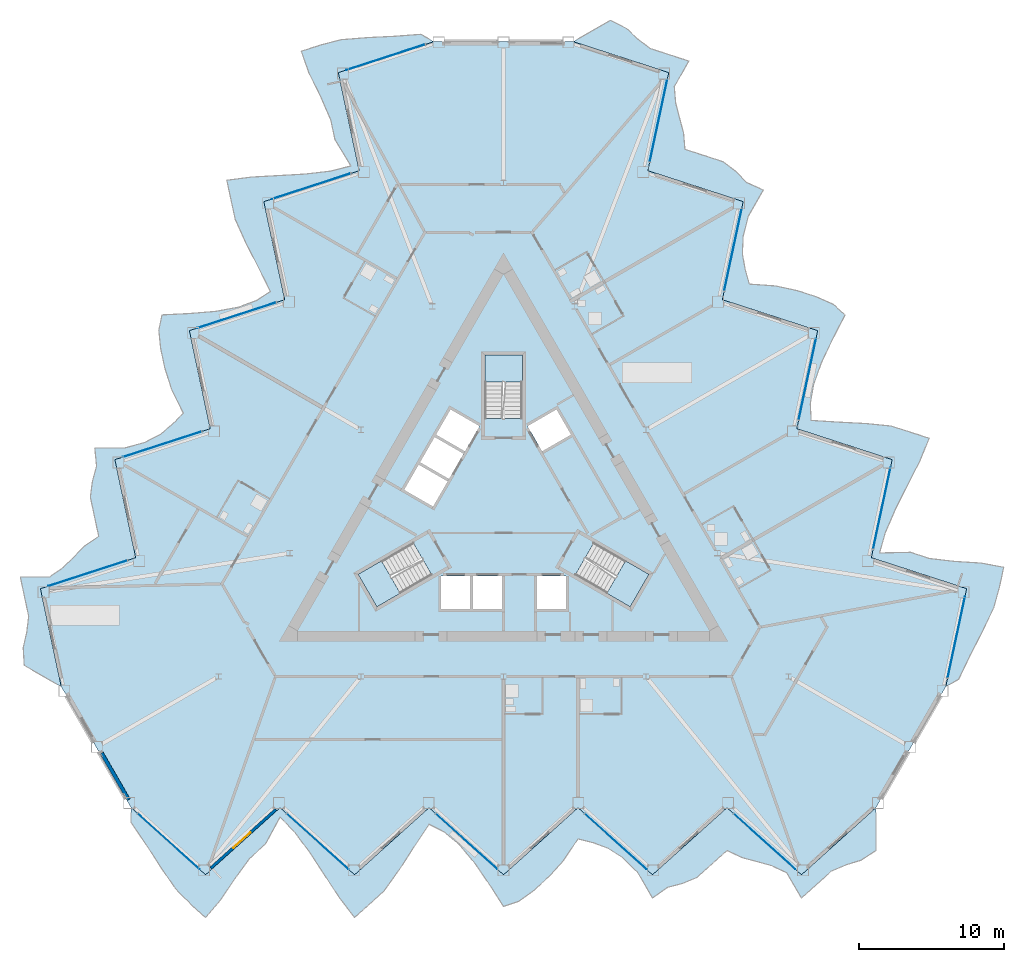
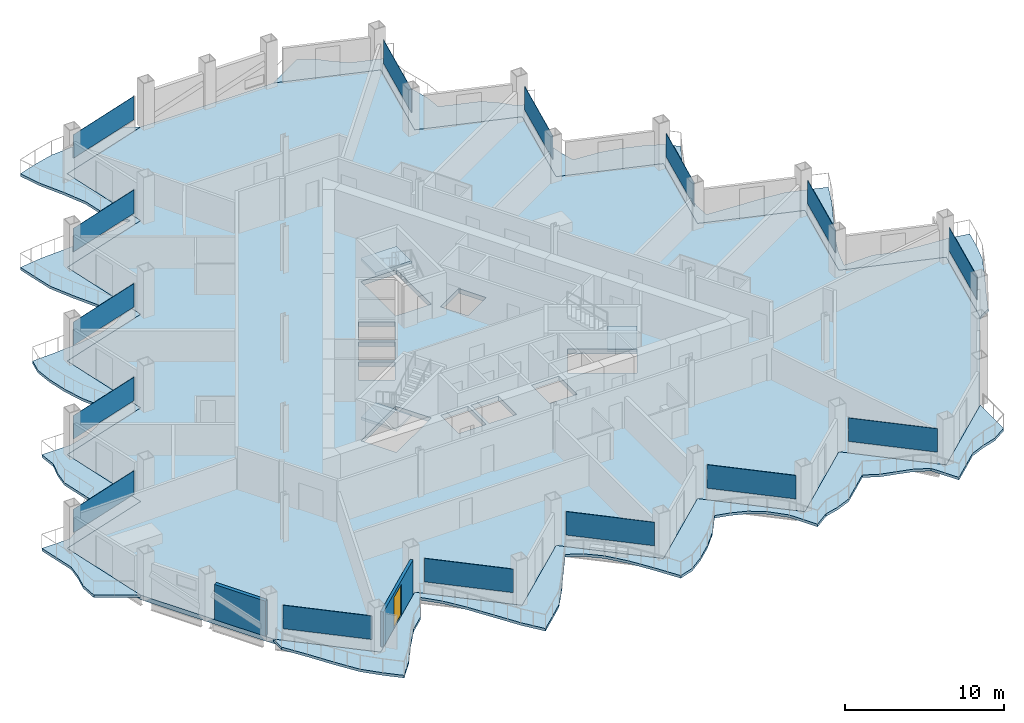
# One storey, part 9 of 22: 15 plates, 7 slabs, 2 walls, 1 door, 1 opening, 18 elements without a shape of their own.
"""IFC4 building model written with IfcOpenShell, lengths in metres."""

from ifc_helpers import new_model, si_unit, direction, frame, frame_2d, origin, origin_2d, place, context, subcontext, project, spatial, polyline, rectangle, outline, extrude, material, layer, layer_set, type_object, element, fill, aggregate, save


model = new_model("IFC4")

# Units and contexts
model_context = context("Model", 3, precision=1e-05, world=origin(), true_north=direction((0.0, 1.0)))
body_context = subcontext(model_context, "Body", "Model", "MODEL_VIEW")
ifc_project = project(units=[si_unit("LENGTHUNIT", "METRE"), si_unit("AREAUNIT", "SQUARE_METRE"), si_unit("VOLUMEUNIT", "CUBIC_METRE"), si_unit("PLANEANGLEUNIT", "RADIAN"), si_unit("MASSUNIT", "GRAM", prefix="KILO")], contexts=[model_context])

# Site, building, storey
site_placement = place(None, origin())
site = spatial("IfcSite", under=ifc_project, at=site_placement, CompositionType="ELEMENT")
building_placement = place(site_placement, origin())
building = spatial("IfcBuilding", under=site, at=building_placement, Name="Cormorant Prow Tower", CompositionType="ELEMENT")
storey_placement = place(building_placement, frame((0.0, 0.0, 198.0)))
storey = spatial("IfcBuildingStorey", under=building, at=storey_placement, Name="L43", CompositionType="ELEMENT", Elevation=198.0)

# Slabs
ifc_material_1 = material(Name="Concrete C40/50", Category="concrete")
ifc_layer_1 = layer(ifc_material_1, 0.199951171875)
ifc_layer_set_1 = layer_set([ifc_layer_1], Name="Concrete C40/50")
slab_type_1 = type_object("IfcSlabType", Name="Balcony slab 200", PredefinedType="FLOOR", material=ifc_layer_set_1)
slab_1_placement = place(storey_placement, frame((0.0, 0.0, -0.199951171875)))
element("IfcSlab", 1, at=slab_1_placement, inside=storey, type_object=slab_type_1, Name="Balcony slab S L43", PredefinedType="FLOOR", context=body_context, shape_type="SweptSolid", body=[
    extrude(outline(polyline([(-25.692626953125, -20.39892578125), (-25.692626953125, -21.4150390625), (-24.664794921875, -22.92431640625), (-23.63720703125, -24.52001953125), (-22.609375, -26.009033203125), (-21.581787109375, -27.05029296875), (-20.55419921875, -27.975830078125), (-19.5263671875, -26.775146484375), (-18.498779296875, -25.2314453125), (-17.470947265625, -23.849609375), (-16.443359375, -22.92431640625), (-15.41552734375, -21.0517578125), (-14.387939453125, -22.11328125), (-13.360107421875, -23.494384765625), (-12.33251953125, -25.064208984375), (-11.3046875, -26.636962890625), (-10.277099609375, -27.975830078125), (-9.249267578125, -27.05029296875), (-8.2216796875, -26.11181640625), (-7.19384765625, -24.67626953125), (-6.166259765625, -23.08935546875), (-5.138427734375, -21.541259765625), (-4.11083984375, -22.061767578125), (-3.0830078125, -22.9169921875), (-2.055419921875, -24.126708984375), (-1.027587890625, -25.609375), (0.0, -27.20458984375), (1.027587890625, -26.86865234375), (2.055419921875, -26.125), (3.0830078125, -25.19970703125), (4.11083984375, -24.0712890625), (5.138427734375, -22.548828125), (6.166259765625, -22.805419921875), (7.19384765625, -23.182373046875), (8.2216796875, -23.837646484375), (9.249267578125, -24.84912109375), (10.277099609375, -26.625732421875), (11.3046875, -25.894775390625), (12.33251953125, -25.62841796875), (13.360107421875, -25.19970703125), (14.387939453125, -24.2744140625), (15.41552734375, -23.348876953125), (16.443359375, -23.83544921875), (17.470947265625, -24.109375), (18.498779296875, -24.394775390625), (19.5263671875, -24.8759765625), (20.55419921875, -26.625732421875), (21.581787109375, -25.700439453125), (22.609375, -24.77490234375), (23.63720703125, -24.33544921875), (24.664794921875, -24.022216796875), (25.692626953125, -23.348876953125), (25.692626953125, -20.39892578125), (24.664794921875, -21.32421875), (23.63720703125, -22.249755859375), (22.609375, -23.175048828125), (21.581787109375, -24.100341796875), (20.55419921875, -25.025634765625), (19.5263671875, -24.100341796875), (18.498779296875, -23.175048828125), (17.470947265625, -22.249755859375), (16.443359375, -21.32421875), (15.41552734375, -20.39892578125), (14.387939453125, -21.32421875), (13.360107421875, -22.249755859375), (12.33251953125, -23.175048828125), (11.3046875, -24.100341796875), (10.277099609375, -25.025634765625), (9.249267578125, -24.100341796875), (8.2216796875, -23.175048828125), (7.19384765625, -22.249755859375), (6.166259765625, -21.32421875), (5.138427734375, -20.39892578125), (4.11083984375, -21.32421875), (3.0830078125, -22.249755859375), (2.055419921875, -23.175048828125), (1.027587890625, -24.100341796875), (0.0, -25.025634765625), (-1.027587890625, -24.100341796875), (-2.055419921875, -23.175048828125), (-3.0830078125, -22.249755859375), (-4.11083984375, -21.32421875), (-5.138427734375, -20.39892578125), (-6.166259765625, -21.32421875), (-7.19384765625, -22.249755859375), (-8.2216796875, -23.175048828125), (-9.249267578125, -24.100341796875), (-10.277099609375, -25.025634765625), (-11.3046875, -24.100341796875), (-12.33251953125, -23.175048828125), (-13.360107421875, -22.249755859375), (-14.387939453125, -21.32421875), (-15.41552734375, -20.39892578125), (-16.443359375, -21.32421875), (-17.470947265625, -22.249755859375), (-18.498779296875, -23.175048828125), (-19.5263671875, -24.100341796875), (-20.55419921875, -25.025634765625), (-21.581787109375, -24.100341796875), (-22.609375, -23.175048828125), (-23.63720703125, -22.249755859375), (-24.664794921875, -21.32421875), (-25.692626953125, -20.39892578125)])), origin(), (0.0, 0.0, 1.0), 0.199951171875),
])
slab_2_placement = place(storey_placement, frame((0.0, 0.0, -0.199951171875)))
element("IfcSlab", 2, at=slab_2_placement, inside=storey, type_object=slab_type_1, Name="Balcony slab ENE L43", PredefinedType="FLOOR", context=body_context, shape_type="SweptSolid", body=[
    extrude(outline(polyline([(30.51220703125, -12.051025390625), (31.392333984375, -11.54296875), (32.185546875, -9.898193359375), (33.053466796875, -8.21044921875), (33.8291015625, -6.575927734375), (34.21728515625, -5.165283203125), (34.504638671875, -3.8125), (32.951171875, -3.522705078125), (31.100341796875, -3.404541015625), (29.389892578125, -3.20556640625), (28.07470703125, -2.778076171875), (25.939208984375, -2.824462890625), (26.344482421875, -1.403564453125), (27.02685546875, 0.177001953125), (27.872314453125, 1.851806640625), (28.720703125, 3.5283203125), (29.3662109375, 5.087646484375), (28.051025390625, 5.51513671875), (26.724365234375, 5.935791015625), (24.96728515625, 6.108154296875), (23.0791015625, 6.20458984375), (21.224609375, 6.320556640625), (21.16162109375, 7.470947265625), (21.38818359375, 8.788330078125), (21.922119140625, 10.283447265625), (22.692138671875, 11.91455078125), (23.559814453125, 13.602294921875), (22.755126953125, 14.324462890625), (21.59716796875, 14.842529296875), (20.281982421875, 15.269775390625), (18.790771484375, 15.595703125), (16.958740234375, 15.724609375), (16.6669921875, 16.742919921875), (16.4794921875, 17.8212890625), (16.533203125, 19.0390625), (16.895263671875, 20.434814453125), (17.919921875, 22.213134765625), (16.773193359375, 22.737548828125), (16.028564453125, 23.494384765625), (15.1435546875, 24.170166015625), (13.828125, 24.597412109375), (12.512939453125, 25.024658203125), (12.42041015625, 26.157958984375), (12.143798828125, 27.184814453125), (11.877197265625, 28.2177734375), (11.780029296875, 29.348388671875), (12.781494140625, 31.11328125), (11.46630859375, 31.54052734375), (10.151123046875, 31.968017578125), (9.256591796875, 32.63818359375), (8.47119140625, 33.37158203125), (7.37451171875, 33.925048828125), (4.81982421875, 32.449951171875), (6.135009765625, 32.022705078125), (7.4501953125, 31.59521484375), (8.765380859375, 31.16796875), (10.08056640625, 30.740478515625), (11.395751953125, 30.313232421875), (11.1083984375, 28.96044921875), (10.82080078125, 27.60791015625), (10.533203125, 26.255126953125), (10.245849609375, 24.90234375), (9.958251953125, 23.5498046875), (11.2734375, 23.122314453125), (12.588623046875, 22.695068359375), (13.90380859375, 22.267822265625), (15.21923828125, 21.84033203125), (16.534423828125, 21.4130859375), (16.246826171875, 20.060302734375), (15.959228515625, 18.707763671875), (15.671875, 17.35498046875), (15.38427734375, 16.002197265625), (15.0966796875, 14.649658203125), (16.412109375, 14.22216796875), (17.727294921875, 13.794921875), (19.04248046875, 13.367431640625), (20.357666015625, 12.940185546875), (21.6728515625, 12.512939453125), (21.385498046875, 11.16015625), (21.097900390625, 9.807373046875), (20.810302734375, 8.454833984375), (20.522705078125, 7.10205078125), (20.2353515625, 5.74951171875), (21.550537109375, 5.322021484375), (22.86572265625, 4.894775390625), (24.180908203125, 4.46728515625), (25.49609375, 4.0400390625), (26.8115234375, 3.61279296875), (26.52392578125, 2.260009765625), (26.236328125, 0.9072265625), (25.94873046875, -0.4453125), (25.661376953125, -1.798095703125), (25.373779296875, -3.15087890625), (26.68896484375, -3.578125), (28.004150390625, -4.00537109375), (29.319580078125, -4.432861328125), (30.634765625, -4.860107421875), (31.949951171875, -5.28759765625), (31.662353515625, -6.64013671875), (31.375, -7.992919921875), (31.08740234375, -9.345703125), (30.7998046875, -10.6982421875), (30.51220703125, -12.051025390625)])), origin(), (0.0, 0.0, 1.0), 0.199951171875),
])
slab_3_placement = place(storey_placement, frame((0.0, 0.0, -0.199951171875)))
element("IfcSlab", 3, at=slab_3_placement, inside=storey, type_object=slab_type_1, Name="Balcony slab WNW L43", PredefinedType="FLOOR", context=body_context, shape_type="SweptSolid", body=[
    extrude(outline(polyline([(-4.81982421875, 32.449951171875), (-5.69970703125, 32.9580078125), (-7.5205078125, 32.822509765625), (-9.416259765625, 32.73046875), (-11.2197265625, 32.5849609375), (-12.635498046875, 32.215576171875), (-13.95068359375, 31.788330078125), (-13.4248046875, 30.2978515625), (-12.601806640625, 28.635986328125), (-11.9189453125, 27.05517578125), (-11.63134765625, 25.702392578125), (-10.523681640625, 23.876220703125), (-11.956787109375, 23.516845703125), (-13.666748046875, 23.3173828125), (-15.5400390625, 23.21240234375), (-17.416015625, 23.108642578125), (-19.089111328125, 22.887939453125), (-18.801513671875, 21.535400390625), (-18.502685546875, 20.176025390625), (-17.7734375, 18.568359375), (-16.912841796875, 16.884765625), (-16.0859375, 15.220703125), (-17.05078125, 14.591064453125), (-18.30517578125, 14.12841796875), (-19.86669921875, 13.843505859375), (-21.66455078125, 13.69482421875), (-23.559814453125, 13.602294921875), (-23.782958984375, 12.54443359375), (-23.652587890625, 11.282470703125), (-23.364990234375, 9.9296875), (-22.901611328125, 8.4755859375), (-22.09716796875, 6.824462890625), (-22.833251953125, 6.0625), (-23.673583984375, 5.361083984375), (-24.7548828125, 4.798828125), (-26.14453125, 4.414306640625), (-28.197021484375, 4.41259765625), (-28.077880859375, 3.1572265625), (-28.361083984375, 2.134033203125), (-28.503662109375, 1.029541015625), (-28.216064453125, -0.322998046875), (-27.928466796875, -1.67578125), (-28.863525390625, -2.322509765625), (-29.61474609375, -3.07568359375), (-30.3759765625, -3.822998046875), (-31.306396484375, -4.472412109375), (-33.335693359375, -4.487548828125), (-33.048095703125, -5.840087890625), (-32.760498046875, -7.19287109375), (-32.8935546875, -8.302734375), (-33.13623046875, -9.349365234375), (-33.067138671875, -10.575927734375), (-30.51220703125, -12.051025390625), (-30.7998046875, -10.6982421875), (-31.08740234375, -9.345703125), (-31.375, -7.992919921875), (-31.662353515625, -6.64013671875), (-31.949951171875, -5.28759765625), (-30.634765625, -4.860107421875), (-29.319580078125, -4.432861328125), (-28.004150390625, -4.00537109375), (-26.68896484375, -3.578125), (-25.373779296875, -3.15087890625), (-25.661376953125, -1.798095703125), (-25.94873046875, -0.4453125), (-26.236328125, 0.9072265625), (-26.52392578125, 2.260009765625), (-26.8115234375, 3.61279296875), (-25.49609375, 4.0400390625), (-24.180908203125, 4.46728515625), (-22.86572265625, 4.894775390625), (-21.550537109375, 5.322021484375), (-20.2353515625, 5.74951171875), (-20.522705078125, 7.10205078125), (-20.810302734375, 8.454833984375), (-21.097900390625, 9.807373046875), (-21.385498046875, 11.16015625), (-21.6728515625, 12.512939453125), (-20.357666015625, 12.940185546875), (-19.04248046875, 13.367431640625), (-17.727294921875, 13.794921875), (-16.412109375, 14.22216796875), (-15.0966796875, 14.649658203125), (-15.38427734375, 16.002197265625), (-15.671875, 17.35498046875), (-15.959228515625, 18.707763671875), (-16.246826171875, 20.060302734375), (-16.534423828125, 21.4130859375), (-15.21923828125, 21.84033203125), (-13.90380859375, 22.267822265625), (-12.588623046875, 22.695068359375), (-11.2734375, 23.122314453125), (-9.958251953125, 23.5498046875), (-10.245849609375, 24.90234375), (-10.533203125, 26.255126953125), (-10.82080078125, 27.60791015625), (-11.1083984375, 28.96044921875), (-11.395751953125, 30.313232421875), (-10.08056640625, 30.740478515625), (-8.765380859375, 31.16796875), (-7.4501953125, 31.59521484375), (-6.135009765625, 32.022705078125), (-4.81982421875, 32.449951171875)])), origin(), (0.0, 0.0, 1.0), 0.199951171875),
])

# Curtain wall, plate
ifc_material_2 = material(Name="Aluminium 6063-T6", Category="aluminium")
ifc_layer_2 = layer(ifc_material_2, 0.179931640625)
ifc_layer_set_2 = layer_set([ifc_layer_2], Name="Aluminium 6063-T6")
curtain_wall_type = type_object("IfcCurtainWallType", Name="Hotel unitised curtain wall 180", PredefinedType="NOTDEFINED", material=ifc_layer_set_2)
curtain_wall_1_placement = place(storey_placement, origin())
curtain_wall_1 = element("IfcCurtainWall", 4, at=curtain_wall_1_placement, inside=storey, type_object=curtain_wall_type, Name="Hotel curtain wall S00", PredefinedType="NOTDEFINED")
ifc_material_3 = material(Name="Clear glass", Category="glass")
ifc_layer_3 = layer(ifc_material_3, 0.028076171875)
ifc_layer_set_3 = layer_set([ifc_layer_3], Name="Clear glass")
plate_type = type_object("IfcPlateType", Name="Hotel glass panel 28", PredefinedType="CURTAIN_PANEL", material=ifc_layer_set_3)
plate_1_placement = place(storey_placement, frame((-23.10107421875, -22.732421875, 0.900146484375), z_axis=(0.0, 0.0, 1.0), x_axis=(0.743144831959, -0.66913059916, 0.0)))
plate_1 = element("IfcPlate", 5, at=plate_1_placement, type_object=plate_type, Name="Hotel glass panel S00", PredefinedType="CURTAIN_PANEL", context=body_context, shape_type="SweptSolid", body=[
    extrude(rectangle(XDim=5.718505859375, YDim=0.028076171875, at=origin_2d()), origin(), (0.0, 0.0, 1.0), 1.80078125),
])
aggregate(curtain_wall_1, [plate_1])

curtain_wall_2_placement = place(storey_placement, origin())
curtain_wall_2 = element("IfcCurtainWall", 6, at=curtain_wall_2_placement, inside=storey, type_object=curtain_wall_type, Name="Hotel curtain wall S02", PredefinedType="NOTDEFINED")
plate_2_placement = place(storey_placement, frame((-12.823974609375, -22.732421875, 0.900146484375), z_axis=(0.0, 0.0, 1.0), x_axis=(0.743144831959, -0.66913059916, 0.0)))
plate_2 = element("IfcPlate", 7, at=plate_2_placement, type_object=plate_type, Name="Hotel glass panel S02", PredefinedType="CURTAIN_PANEL", context=body_context, shape_type="SweptSolid", body=[
    extrude(rectangle(XDim=5.718505859375, YDim=0.028076171875, at=origin_2d()), origin(), (0.0, 0.0, 1.0), 1.80078125),
])
aggregate(curtain_wall_2, [plate_2])

curtain_wall_3_placement = place(storey_placement, origin())
curtain_wall_3 = element("IfcCurtainWall", 8, at=curtain_wall_3_placement, inside=storey, type_object=curtain_wall_type, Name="Hotel curtain wall S04", PredefinedType="NOTDEFINED")
plate_3_placement = place(storey_placement, frame((-2.546875, -22.732421875, 0.900146484375), z_axis=(0.0, 0.0, 1.0), x_axis=(0.743144831959, -0.66913059916, 0.0)))
plate_3 = element("IfcPlate", 9, at=plate_3_placement, type_object=plate_type, Name="Hotel glass panel S04", PredefinedType="CURTAIN_PANEL", context=body_context, shape_type="SweptSolid", body=[
    extrude(rectangle(XDim=5.718505859375, YDim=0.028076171875, at=origin_2d()), origin(), (0.0, 0.0, 1.0), 1.80078125),
])
aggregate(curtain_wall_3, [plate_3])

curtain_wall_4_placement = place(storey_placement, origin())
curtain_wall_4 = element("IfcCurtainWall", 10, at=curtain_wall_4_placement, inside=storey, type_object=curtain_wall_type, Name="Hotel curtain wall S06", PredefinedType="NOTDEFINED")
plate_4_placement = place(storey_placement, frame((7.72998046875, -22.732421875, 0.900146484375), z_axis=(0.0, 0.0, 1.0), x_axis=(0.743144831959, -0.66913059916, 0.0)))
plate_4 = element("IfcPlate", 11, at=plate_4_placement, type_object=plate_type, Name="Hotel glass panel S06", PredefinedType="CURTAIN_PANEL", context=body_context, shape_type="SweptSolid", body=[
    extrude(rectangle(XDim=5.718505859375, YDim=0.028076171875, at=origin_2d()), origin(), (0.0, 0.0, 1.0), 1.80078125),
])
aggregate(curtain_wall_4, [plate_4])

curtain_wall_5_placement = place(storey_placement, origin())
curtain_wall_5 = element("IfcCurtainWall", 12, at=curtain_wall_5_placement, inside=storey, type_object=curtain_wall_type, Name="Hotel curtain wall S08", PredefinedType="NOTDEFINED")
plate_5_placement = place(storey_placement, frame((18.007080078125, -22.732421875, 0.900146484375), z_axis=(0.0, 0.0, 1.0), x_axis=(0.743144831959, -0.66913059916, 0.0)))
plate_5 = element("IfcPlate", 13, at=plate_5_placement, type_object=plate_type, Name="Hotel glass panel S08", PredefinedType="CURTAIN_PANEL", context=body_context, shape_type="SweptSolid", body=[
    extrude(rectangle(XDim=5.718505859375, YDim=0.028076171875, at=origin_2d()), origin(), (0.0, 0.0, 1.0), 1.80078125),
])
aggregate(curtain_wall_5, [plate_5])

curtain_wall_6_placement = place(storey_placement, origin())
curtain_wall_6 = element("IfcCurtainWall", 14, at=curtain_wall_6_placement, inside=storey, type_object=curtain_wall_type, Name="Hotel curtain wall ENE00", PredefinedType="NOTDEFINED")
plate_6_placement = place(storey_placement, frame((31.2373046875, -8.639892578125, 0.900146484375), z_axis=(0.0, 0.0, 1.0), x_axis=(0.207911659303, 0.978147607432, 0.0)))
plate_6 = element("IfcPlate", 15, at=plate_6_placement, type_object=plate_type, Name="Hotel glass panel ENE00", PredefinedType="CURTAIN_PANEL", context=body_context, shape_type="SweptSolid", body=[
    extrude(rectangle(XDim=5.718505859375, YDim=0.028076171875, at=origin_2d()), origin(), (0.0, 0.0, 1.0), 1.80078125),
])
aggregate(curtain_wall_6, [plate_6])

curtain_wall_7_placement = place(storey_placement, origin())
curtain_wall_7 = element("IfcCurtainWall", 16, at=curtain_wall_7_placement, inside=storey, type_object=curtain_wall_type, Name="Hotel curtain wall ENE02", PredefinedType="NOTDEFINED")
plate_7_placement = place(storey_placement, frame((26.098876953125, 0.26025390625, 0.900146484375), z_axis=(0.0, 0.0, 1.0), x_axis=(0.207911659303, 0.978147607432, 0.0)))
plate_7 = element("IfcPlate", 17, at=plate_7_placement, type_object=plate_type, Name="Hotel glass panel ENE02", PredefinedType="CURTAIN_PANEL", context=body_context, shape_type="SweptSolid", body=[
    extrude(rectangle(XDim=5.718505859375, YDim=0.028076171875, at=origin_2d()), origin(), (0.0, 0.0, 1.0), 1.80078125),
])
aggregate(curtain_wall_7, [plate_7])

curtain_wall_8_placement = place(storey_placement, origin())
curtain_wall_8 = element("IfcCurtainWall", 18, at=curtain_wall_8_placement, inside=storey, type_object=curtain_wall_type, Name="Hotel curtain wall ENE04", PredefinedType="NOTDEFINED")
plate_8_placement = place(storey_placement, frame((20.96044921875, 9.160400390625, 0.900146484375), z_axis=(0.0, 0.0, 1.0), x_axis=(0.207911629905, 0.978147613681, 0.0)))
plate_8 = element("IfcPlate", 19, at=plate_8_placement, type_object=plate_type, Name="Hotel glass panel ENE04", PredefinedType="CURTAIN_PANEL", context=body_context, shape_type="SweptSolid", body=[
    extrude(rectangle(XDim=5.718505859375, YDim=0.028076171875, at=origin_2d()), origin(), (0.0, 0.0, 1.0), 1.80078125),
])
aggregate(curtain_wall_8, [plate_8])

curtain_wall_9_placement = place(storey_placement, origin())
curtain_wall_9 = element("IfcCurtainWall", 20, at=curtain_wall_9_placement, inside=storey, type_object=curtain_wall_type, Name="Hotel curtain wall ENE06", PredefinedType="NOTDEFINED")
plate_9_placement = place(storey_placement, frame((15.82177734375, 18.060546875, 0.900146484375), z_axis=(0.0, 0.0, 1.0), x_axis=(0.207911659303, 0.978147607432, 0.0)))
plate_9 = element("IfcPlate", 21, at=plate_9_placement, type_object=plate_type, Name="Hotel glass panel ENE06", PredefinedType="CURTAIN_PANEL", context=body_context, shape_type="SweptSolid", body=[
    extrude(rectangle(XDim=5.718505859375, YDim=0.028076171875, at=origin_2d()), origin(), (0.0, 0.0, 1.0), 1.80078125),
])
aggregate(curtain_wall_9, [plate_9])

curtain_wall_10_placement = place(storey_placement, origin())
curtain_wall_10 = element("IfcCurtainWall", 22, at=curtain_wall_10_placement, inside=storey, type_object=curtain_wall_type, Name="Hotel curtain wall ENE08", PredefinedType="NOTDEFINED")
plate_10_placement = place(storey_placement, frame((10.683349609375, 26.9609375, 0.900146484375), z_axis=(0.0, 0.0, 1.0), x_axis=(0.207911659303, 0.978147607432, 0.0)))
plate_10 = element("IfcPlate", 23, at=plate_10_placement, type_object=plate_type, Name="Hotel glass panel ENE08", PredefinedType="CURTAIN_PANEL", context=body_context, shape_type="SweptSolid", body=[
    extrude(rectangle(XDim=5.718505859375, YDim=0.028076171875, at=origin_2d()), origin(), (0.0, 0.0, 1.0), 1.80078125),
])
aggregate(curtain_wall_10, [plate_10])

curtain_wall_11_placement = place(storey_placement, origin())
curtain_wall_11 = element("IfcCurtainWall", 24, at=curtain_wall_11_placement, inside=storey, type_object=curtain_wall_type, Name="Hotel curtain wall WNW00", PredefinedType="NOTDEFINED")
plate_11_placement = place(storey_placement, frame((-8.13623046875, 31.372314453125, 0.900146484375), z_axis=(0.0, 0.0, 1.0), x_axis=(-0.95105653377, -0.309016940594, 0.0)))
plate_11 = element("IfcPlate", 25, at=plate_11_placement, type_object=plate_type, Name="Hotel glass panel WNW00", PredefinedType="CURTAIN_PANEL", context=body_context, shape_type="SweptSolid", body=[
    extrude(rectangle(XDim=5.718505859375, YDim=0.028076171875, at=origin_2d()), origin(), (0.0, 0.0, 1.0), 1.80078125),
])
aggregate(curtain_wall_11, [plate_11])

curtain_wall_12_placement = place(storey_placement, origin())
curtain_wall_12 = element("IfcCurtainWall", 26, at=curtain_wall_12_placement, inside=storey, type_object=curtain_wall_type, Name="Hotel curtain wall WNW02", PredefinedType="NOTDEFINED")
plate_12_placement = place(storey_placement, frame((-13.27490234375, 22.47216796875, 0.900146484375), z_axis=(0.0, 0.0, 1.0), x_axis=(-0.951056477458, -0.309017113905, 0.0)))
plate_12 = element("IfcPlate", 27, at=plate_12_placement, type_object=plate_type, Name="Hotel glass panel WNW02", PredefinedType="CURTAIN_PANEL", context=body_context, shape_type="SweptSolid", body=[
    extrude(rectangle(XDim=5.718505859375, YDim=0.028076171875, at=origin_2d()), origin(), (0.0, 0.0, 1.0), 1.80078125),
])
aggregate(curtain_wall_12, [plate_12])

curtain_wall_13_placement = place(storey_placement, origin())
curtain_wall_13 = element("IfcCurtainWall", 28, at=curtain_wall_13_placement, inside=storey, type_object=curtain_wall_type, Name="Hotel curtain wall WNW04", PredefinedType="NOTDEFINED")
plate_13_placement = place(storey_placement, frame((-18.413330078125, 13.572021484375, 0.900146484375), z_axis=(0.0, 0.0, 1.0), x_axis=(-0.951056519963, -0.309016983088, 0.0)))
plate_13 = element("IfcPlate", 29, at=plate_13_placement, type_object=plate_type, Name="Hotel glass panel WNW04", PredefinedType="CURTAIN_PANEL", context=body_context, shape_type="SweptSolid", body=[
    extrude(rectangle(XDim=5.718505859375, YDim=0.028076171875, at=origin_2d()), origin(), (0.0, 0.0, 1.0), 1.80078125),
])
aggregate(curtain_wall_13, [plate_13])

curtain_wall_14_placement = place(storey_placement, origin())
curtain_wall_14 = element("IfcCurtainWall", 30, at=curtain_wall_14_placement, inside=storey, type_object=curtain_wall_type, Name="Hotel curtain wall WNW06", PredefinedType="NOTDEFINED")
plate_14_placement = place(storey_placement, frame((-23.552001953125, 4.671875, 0.900146484375), z_axis=(0.0, 0.0, 1.0), x_axis=(-0.951056519963, -0.309016983088, 0.0)))
plate_14 = element("IfcPlate", 31, at=plate_14_placement, type_object=plate_type, Name="Hotel glass panel WNW06", PredefinedType="CURTAIN_PANEL", context=body_context, shape_type="SweptSolid", body=[
    extrude(rectangle(XDim=5.718505859375, YDim=0.028076171875, at=origin_2d()), origin(), (0.0, 0.0, 1.0), 1.80078125),
])
aggregate(curtain_wall_14, [plate_14])

curtain_wall_15_placement = place(storey_placement, origin())
curtain_wall_15 = element("IfcCurtainWall", 32, at=curtain_wall_15_placement, inside=storey, type_object=curtain_wall_type, Name="Hotel curtain wall WNW08", PredefinedType="NOTDEFINED")
plate_15_placement = place(storey_placement, frame((-28.6904296875, -4.228515625, 0.900146484375), z_axis=(0.0, 0.0, 1.0), x_axis=(-0.951056477458, -0.309017113905, 0.0)))
plate_15 = element("IfcPlate", 33, at=plate_15_placement, type_object=plate_type, Name="Hotel glass panel WNW08", PredefinedType="CURTAIN_PANEL", context=body_context, shape_type="SweptSolid", body=[
    extrude(rectangle(XDim=5.718505859375, YDim=0.028076171875, at=origin_2d()), origin(), (0.0, 0.0, 1.0), 1.80078125),
])
aggregate(curtain_wall_15, [plate_15])

# Slab
ifc_material_4 = material(Name="Concrete C40/50", Category="concrete")
ifc_layer_4 = layer(ifc_material_4, 0.35009765625)
ifc_layer_set_4 = layer_set([ifc_layer_4], Name="Concrete C40/50")
slab_type_2 = type_object("IfcSlabType", Name="Post-tensioned flat slab 350", PredefinedType="FLOOR", material=ifc_layer_set_4)
slab_4_placement = place(storey_placement, frame((0.0, 0.0, -0.35009765625)))
element("IfcSlab", 34, at=slab_4_placement, inside=storey, type_object=slab_type_2, Name="Floor slab L43", PredefinedType="FLOOR", context=body_context, shape_type="SweptSolid", body=[
    extrude(outline(polyline([(-9.958251953125, 23.5498046875), (-16.534423828125, 21.4130859375), (-15.0966796875, 14.649658203125), (-21.6728515625, 12.512939453125), (-20.2353515625, 5.74951171875), (-26.8115234375, 3.61279296875), (-25.373779296875, -3.15087890625), (-31.949951171875, -5.28759765625), (-30.51220703125, -12.051025390625), (-28.1025390625, -16.224853515625), (-25.692626953125, -20.39892578125), (-20.55419921875, -25.025634765625), (-15.41552734375, -20.39892578125), (-10.277099609375, -25.025634765625), (-5.138427734375, -20.39892578125), (0.0, -25.025634765625), (5.138427734375, -20.39892578125), (10.277099609375, -25.025634765625), (15.41552734375, -20.39892578125), (20.55419921875, -25.025634765625), (25.692626953125, -20.39892578125), (28.1025390625, -16.224853515625), (30.51220703125, -12.051025390625), (31.949951171875, -5.28759765625), (25.373779296875, -3.15087890625), (26.8115234375, 3.61279296875), (20.2353515625, 5.74951171875), (21.6728515625, 12.512939453125), (15.0966796875, 14.649658203125), (16.534423828125, 21.4130859375), (9.958251953125, 23.5498046875), (11.395751953125, 30.313232421875), (4.81982421875, 32.449951171875), (0.0, 32.449951171875), (-4.81982421875, 32.449951171875), (-11.395751953125, 30.313232421875), (-9.958251953125, 23.5498046875)]), holes=[polyline([(-4.300048828125, -4.39990234375), (-2.300048828125, -4.39990234375), (-2.300048828125, -6.699951171875), (-4.300048828125, -6.699951171875), (-4.300048828125, -4.39990234375)]), polyline([(-0.10009765625, -4.39990234375), (-0.10009765625, -6.699951171875), (-2.10009765625, -6.699951171875), (-2.10009765625, -4.39990234375), (-0.10009765625, -4.39990234375)]), polyline([(4.300048828125, -6.699951171875), (2.300048828125, -6.699951171875), (2.300048828125, -4.39990234375), (4.300048828125, -4.39990234375), (4.300048828125, -6.699951171875)]), polyline([(4.65234375, 5.341796875), (2.660400390625, 4.19189453125), (1.660400390625, 5.923828125), (3.65234375, 7.073974609375), (4.65234375, 5.341796875)]), polyline([(-1.660400390625, 5.923828125), (-2.660400390625, 4.19189453125), (-4.65234375, 5.341796875), (-3.65234375, 7.073974609375), (-1.660400390625, 5.923828125)]), polyline([(-3.760498046875, 2.28662109375), (-5.75244140625, 3.4365234375), (-4.75244140625, 5.168701171875), (-2.760498046875, 4.018798828125), (-3.760498046875, 2.28662109375)]), polyline([(-6.852294921875, 1.53125), (-5.852294921875, 3.263427734375), (-3.860595703125, 2.11328125), (-4.860595703125, 0.38134765625), (-6.852294921875, 1.53125)]), polyline([(-4.947509765625, -4.3505859375), (-8.738037109375, -6.5390625), (-10.031982421875, -4.2978515625), (-6.241455078125, -2.109375), (-4.947509765625, -4.3505859375)]), polyline([(10.031982421875, -4.2978515625), (8.738037109375, -6.5390625), (4.947509765625, -4.3505859375), (6.241455078125, -2.109375), (10.031982421875, -4.2978515625)]), polyline([(1.2939453125, 10.8369140625), (1.2939453125, 6.459716796875), (-1.2939453125, 6.459716796875), (-1.2939453125, 10.8369140625), (1.2939453125, 10.8369140625)])]), origin(), (0.0, 0.0, 1.0), 0.35009765625),
])

# Stair, slab
ifc_material_5 = material(Name="Exit stair 20 risers")
stair_type = type_object("IfcStairType", Name="Exit stair 20 risers", PredefinedType="HALF_TURN_STAIR", material=ifc_material_5)
stair_1_placement = place(storey_placement, origin())
stair_1 = element("IfcStair", 35, at=stair_1_placement, inside=storey, type_object=stair_type, Name="L43 Exit stair ST1", PredefinedType="HALF_TURN_STAIR")
ifc_material_6 = material(Name="Concrete 5000 psi", Category="concrete")
ifc_layer_5 = layer(ifc_material_6, 0.199951171875)
ifc_layer_set_5 = layer_set([ifc_layer_5], Name="Concrete 5000 psi")
slab_type_3 = type_object("IfcSlabType", Name="Stair landing 200", PredefinedType="LANDING", material=ifc_layer_set_5)
slab_5_placement = place(storey_placement, frame((0.0, 0.0, 1.60009765625)))
slab_5 = element("IfcSlab", 36, at=slab_5_placement, type_object=slab_type_3, Name="ST1 landing 1", PredefinedType="LANDING", context=body_context, shape_type="SweptSolid", body=[
    extrude(outline(polyline([(-8.416748046875, -3.365234375), (-10.031982421875, -4.2978515625), (-8.738037109375, -6.5390625), (-7.122802734375, -5.6064453125), (-8.416748046875, -3.365234375)])), origin(), (0.0, 0.0, 1.0), 0.199951171875),
])
aggregate(stair_1, [slab_5])

stair_2_placement = place(storey_placement, origin())
stair_2 = element("IfcStair", 37, at=stair_2_placement, inside=storey, type_object=stair_type, Name="L43 Exit stair ST2", PredefinedType="HALF_TURN_STAIR")
slab_6_placement = place(storey_placement, frame((0.0, 0.0, 1.60009765625)))
slab_6 = element("IfcSlab", 38, at=slab_6_placement, type_object=slab_type_3, Name="ST2 landing 1", PredefinedType="LANDING", context=body_context, shape_type="SweptSolid", body=[
    extrude(outline(polyline([(7.122802734375, -5.6064453125), (8.738037109375, -6.5390625), (10.031982421875, -4.2978515625), (8.416748046875, -3.365234375), (7.122802734375, -5.6064453125)])), origin(), (0.0, 0.0, 1.0), 0.199951171875),
])
aggregate(stair_2, [slab_6])

stair_3_placement = place(storey_placement, origin())
stair_3 = element("IfcStair", 39, at=stair_3_placement, inside=storey, type_object=stair_type, Name="L43 Exit stair ST3", PredefinedType="HALF_TURN_STAIR")
slab_7_placement = place(storey_placement, frame((0.0, 0.0, 1.60009765625)))
slab_7 = element("IfcSlab", 40, at=slab_7_placement, type_object=slab_type_3, Name="ST3 landing 1", PredefinedType="LANDING", context=body_context, shape_type="SweptSolid", body=[
    extrude(outline(polyline([(1.2939453125, 8.971923828125), (1.2939453125, 10.8369140625), (-1.2939453125, 10.8369140625), (-1.2939453125, 8.971923828125), (1.2939453125, 8.971923828125)])), origin(), (0.0, 0.0, 1.0), 0.199951171875),
])
aggregate(stair_3, [slab_7])

# Wall
ifc_material_7 = material(Name="Terracotta", Category="masonry")
ifc_layer_6 = layer(ifc_material_7, 0.25)
ifc_layer_set_6 = layer_set([ifc_layer_6], Name="Terracotta")
wall_type_1 = type_object("IfcWallType", Name="Terracotta bay wall 250", PredefinedType="SOLIDWALL", material=ifc_layer_set_6)
wall_1_placement = place(storey_placement, frame((-27.727294921875, -16.624755859375, 0.0), z_axis=(0.0, 0.0, 1.0), x_axis=(0.499995303914, -0.866028115054, 0.0)))
element("IfcWall", 41, at=wall_1_placement, inside=storey, type_object=wall_type_1, Name="Terracotta bay wall WSW01", PredefinedType="SOLIDWALL", context=body_context, shape_type="SweptSolid", body=[
    extrude(rectangle(XDim=3.7177734375, YDim=0.25, at=frame_2d((1.85888671875, 0.0))), origin(), (0.0, 0.0, 1.0), 2.700927734375),
])

# Wall, opening, door
ifc_material_8 = material(Name="Terracotta", Category="masonry")
ifc_layer_7 = layer(ifc_material_8, 0.199951171875)
ifc_layer_set_7 = layer_set([ifc_layer_7], Name="Terracotta")
wall_type_2 = type_object("IfcWallType", Name="Terracotta jamb wall 200", PredefinedType="SOLIDWALL", material=ifc_layer_set_7)
wall_2_placement = place(storey_placement, frame((-20.198974609375, -24.5712890625, 0.0), z_axis=(0.0, 0.0, 1.0), x_axis=(0.743151394339, 0.669123310827, 0.0)))
wall_2 = element("IfcWall", 42, at=wall_2_placement, inside=storey, type_object=wall_type_2, Name="Terracotta jamb wall S01", PredefinedType="SOLIDWALL", context=body_context, shape_type="SweptSolid", body=[
    extrude(rectangle(XDim=6.03857421875, YDim=0.199951171875, at=frame_2d((3.019287109375, 0.0))), origin(), (0.0, 0.0, 1.0), 2.700927734375),
])
opening_placement = place(wall_2_placement, frame((2.08935546875, 0.0, 0.0)))
opening = element("IfcOpeningElement", 43, at=opening_placement, cuts=wall_2, Name="Opening ED43.01", PredefinedType="OPENING", context=body_context, shape_type="SweptSolid", body=[
    extrude(rectangle(XDim=1.60009765625, YDim=2.39990234375, at=frame_2d((0.800048828125, 1.199951171875))), frame((0.0, 0.10986328125, 0.0), z_axis=(0.0, -1.0, 0.0), x_axis=(1.0, 0.0, 0.0)), (0.0, 0.0, 1.0), 0.219970703125),
])
ifc_material_9 = material(Name="Aluminium 6063-T6", Category="aluminium")
door_type = type_object("IfcDoorType", Name="Balcony door 1600x2400", OperationType="DOUBLE_DOOR_SINGLE_SWING", PredefinedType="DOOR", material=ifc_material_9)
door_placement = place(opening_placement, origin())
door = element("IfcDoor", 44, at=door_placement, inside=storey, type_object=door_type, Name="Balcony door S01 ED43.01", OperationType="DOUBLE_DOOR_SINGLE_SWING", OverallHeight=2.39990234375, OverallWidth=1.60009765625, PredefinedType="DOOR", context=body_context, shape_type="SweptSolid", body=[
    extrude(rectangle(XDim=1.60009765625, YDim=2.39990234375, at=frame_2d((0.800048828125, 1.199951171875))), frame((0.0, 0.02490234375, 0.0), z_axis=(0.0, -1.0, 0.0), x_axis=(1.0, 0.0, 0.0)), (0.0, 0.0, 1.0), 0.050048828125),
])
fill(opening, door)

save(model, "model.ifc")
